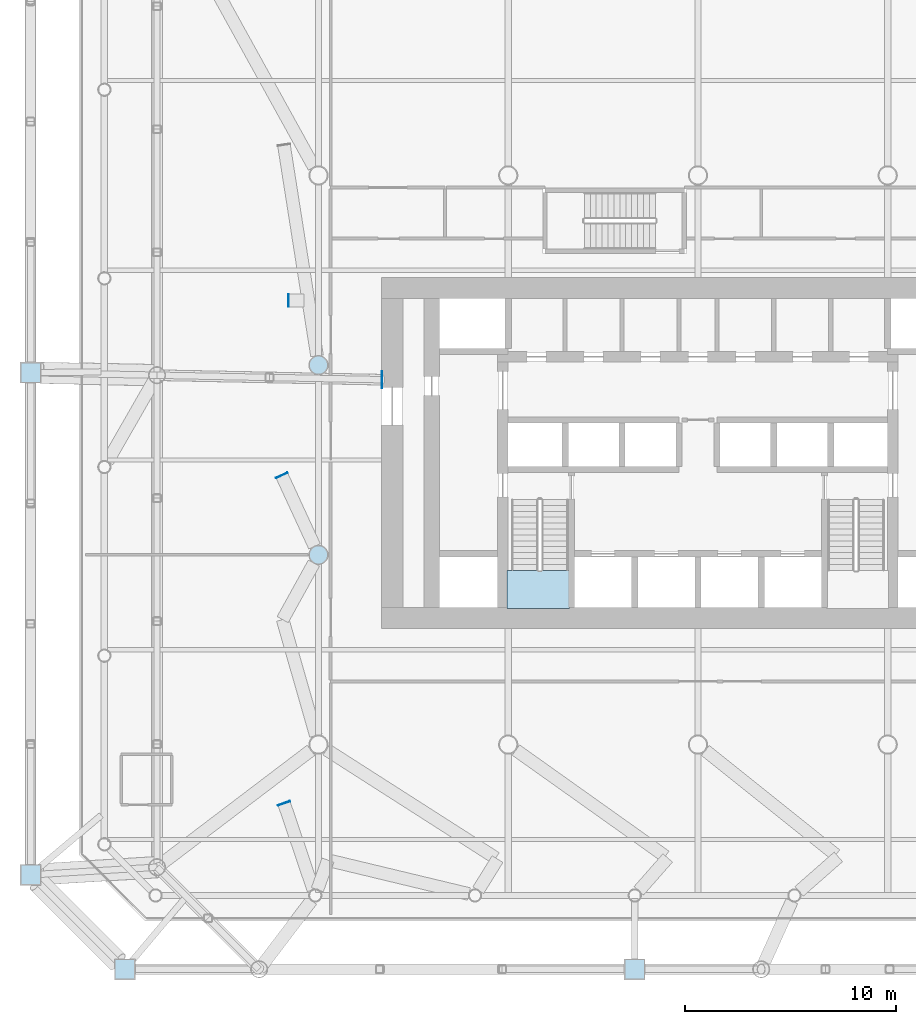
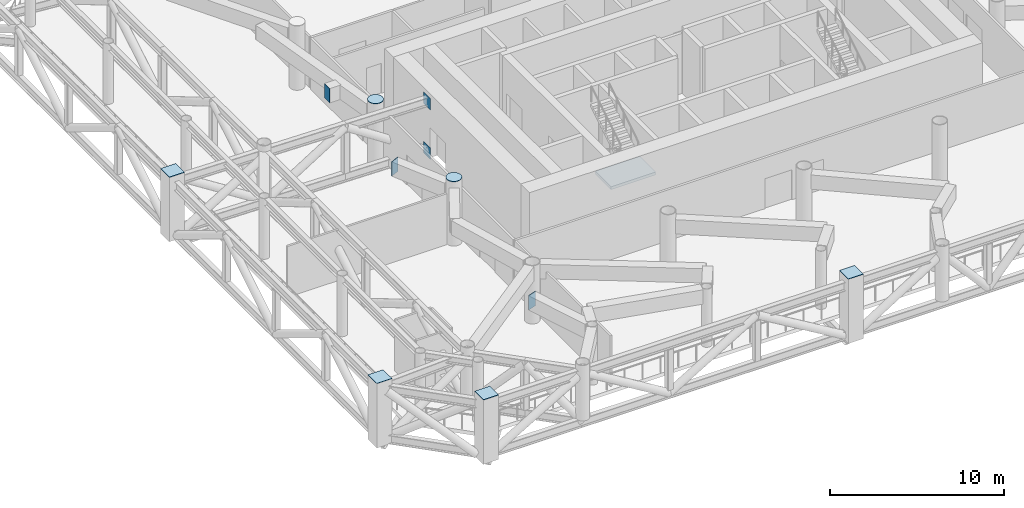
# One storey, part 9 of 22: 11 plates, 1 slab, 1 element without a shape of its own.
"""IFC4 building model written with IfcOpenShell, lengths in metres."""

from ifc_helpers import new_model, si_unit, direction, frame, origin, origin_2d, place, context, subcontext, project, spatial, polyline, rectangle, circle, outline, extrude, material, layer, layer_set, material_profile, profile_set, type_object, element, aggregate, save


model = new_model("IFC4")

# Units and contexts
model_context = context("Model", 3, precision=1e-05, world=origin(), true_north=direction((0.0, 1.0)))
body_context = subcontext(model_context, "Body", "Model", "MODEL_VIEW")
ifc_project = project(units=[si_unit("LENGTHUNIT", "METRE"), si_unit("AREAUNIT", "SQUARE_METRE"), si_unit("VOLUMEUNIT", "CUBIC_METRE"), si_unit("PLANEANGLEUNIT", "RADIAN"), si_unit("MASSUNIT", "GRAM", prefix="KILO")], contexts=[model_context])

# Site, building, storey
site_placement = place(None, origin())
site = spatial("IfcSite", under=ifc_project, at=site_placement, CompositionType="ELEMENT")
building_placement = place(site_placement, origin())
building = spatial("IfcBuilding", under=site, at=building_placement, Name="Tskaro Facet Tower", CompositionType="ELEMENT")
storey_placement = place(building_placement, frame((0.0, 0.0, 57.60009765625)))
storey = spatial("IfcBuildingStorey", under=building, at=storey_placement, Name="L13", CompositionType="ELEMENT", Elevation=57.60009765625)

# Plates
ifc_material_1 = material(Name="Steel S355J2", Category="steel")
ifc_material_profile_1 = material_profile(ifc_material_1, rectangle(XDim=1.0, YDim=1.0, at=origin_2d()), Name="PL 1000x1000x30 end plate")
ifc_profile_set_1 = profile_set([ifc_material_profile_1], Name="Steel S355J2")
plate_type_1 = type_object("IfcPlateType", Name="PL 1000x1000x30 end plate", PredefinedType="SHEET", material=ifc_profile_set_1)
for number, where, z_axis, x_axis, name in (
    (1, (-27.179931640625, -28.658935546875, 4.5), (0.0, 0.0, 1.0), (1.0, 0.0, 0.0), "End plate CP4-01"),
    (2, (-3.0, -28.658935546875, 4.5), (0.0, 0.0, 1.0), (1.0, 0.0, 0.0), "End plate CP4-02"),
    (3, (-31.658935546875, -0.35791015625, 4.5), (0.0, 0.0, 1.0), (1.0, 0.0, 0.0), "End plate CP4-08"),
    (4, (-31.658935546875, -24.179931640625, 4.5), (0.0, 0.0, 1.0), (1.0, 0.0, 0.0), "End plate CP4-09"),
):
    element("IfcPlate", number, at=place(storey_placement, frame(where, z_axis=z_axis, x_axis=x_axis)), inside=storey, type_object=plate_type_1, Name=name, PredefinedType="SHEET", context=body_context, shape_type="SweptSolid", body=[
        extrude(rectangle(XDim=1.0, YDim=1.0, at=origin_2d()), origin(), (0.0, 0.0, 1.0), 0.02978515625),
    ])
ifc_material_profile_2 = material_profile(ifc_material_1, rectangle(XDim=0.60009765625, YDim=1.0, at=origin_2d()), Name="PL 600x1000x30 end plate")
ifc_profile_set_2 = profile_set([ifc_material_profile_2], Name="Steel S355J2")
plate_type_2 = type_object("IfcPlateType", Name="PL 600x1000x30 end plate", PredefinedType="SHEET", material=ifc_profile_set_2)
for number, where, z_axis, x_axis, name in (
    (5, (-19.628173828125, -20.798828125, 3.579833984375), (-0.325990683319, 0.945372981626, 0.0), (-0.945372981626, -0.325990683319, 0.0), "End plate CP8-04"),
    (6, (-19.4150390625, 3.068115234375, 3.579833984375), (-1.0, 0.0, 0.0), (0.0, -1.0, 0.0), "End plate CP8-05"),
    (7, (-19.734619140625, -5.241455078125, 3.579833984375), (-0.414415067456, 0.910087991276, 0.0), (-0.910087991276, -0.414415067456, 0.0), "End plate CP8-09"),
):
    element("IfcPlate", number, at=place(storey_placement, frame(where, z_axis=z_axis, x_axis=x_axis)), inside=storey, type_object=plate_type_2, Name=name, PredefinedType="SHEET", context=body_context, shape_type="SweptSolid", body=[
        extrude(rectangle(XDim=0.60009765625, YDim=1.0, at=origin_2d()), origin(), (0.0, 0.0, 1.0), 0.030029296875),
    ])
ifc_material_profile_3 = material_profile(ifc_material_1, rectangle(XDim=0.800048828125, YDim=0.800048828125, at=origin_2d()), Name="PL 800x800x30 cast-in plate")
ifc_profile_set_3 = profile_set([ifc_material_profile_3], Name="Steel S355J2")
plate_type_3 = type_object("IfcPlateType", Name="PL 800x800x30 cast-in plate", PredefinedType="SHEET", material=ifc_profile_set_3)
for number, where, z_axis, x_axis, name in (
    (8, (-14.969970703125, -0.691162109375, 3.77001953125), (-1.0, 0.0, 0.0), (0.0, -1.0, 0.0), "Cast-in plate AP1-03"),
    (9, (-14.969970703125, -0.691162109375, 0.309814453125), (-1.0, 0.0, 0.0), (0.0, -1.0, 0.0), "Cast-in plate AP1-04"),
):
    element("IfcPlate", number, at=place(storey_placement, frame(where, z_axis=z_axis, x_axis=x_axis)), inside=storey, type_object=plate_type_3, Name=name, PredefinedType="SHEET", context=body_context, shape_type="SweptSolid", body=[
        extrude(rectangle(XDim=0.800048828125, YDim=0.800048828125, at=origin_2d()), origin(), (0.0, 0.0, 1.0), 0.030029296875),
    ])
ifc_material_profile_4 = material_profile(ifc_material_1, circle(Radius=0.457275390625, at=origin_2d()), Name="PL 914 dia x30 end plate")
ifc_profile_set_4 = profile_set([ifc_material_profile_4], Name="Steel S355J2")
plate_type_4 = type_object("IfcPlateType", Name="PL 914 dia x30 end plate", PredefinedType="SHEET", material=ifc_profile_set_4)
for number, where, z_axis, x_axis, name in (
    (10, (-18.0, -9.0, 4.5), (0.0, 0.0, 1.0), (1.0, 0.0, 0.0), "End plate CP1-01"),
    (11, (-18.0, 0.0, 4.5), (0.0, 0.0, 1.0), (1.0, 0.0, 0.0), "End plate CP1-02"),
):
    element("IfcPlate", number, at=place(storey_placement, frame(where, z_axis=z_axis, x_axis=x_axis)), inside=storey, type_object=plate_type_4, Name=name, PredefinedType="SHEET", context=body_context, shape_type="SweptSolid", body=[
        extrude(circle(Radius=0.457275390625, at=origin_2d()), origin(), (0.0, 0.0, 1.0), 0.02978515625),
    ])

# Stair, slab
ifc_material_2 = material(Name="Concrete C40/50", Category="concrete")
stair_type = type_object("IfcStairType", Name="ST-TWR", PredefinedType="HALF_TURN_STAIR", material=ifc_material_2)
stair_placement = place(storey_placement, origin())
stair = element("IfcStair", 12, at=stair_placement, inside=storey, type_object=stair_type, Name="L13 Exit stair 1", PredefinedType="HALF_TURN_STAIR")
ifc_layer = layer(ifc_material_2, 0.199951171875, Name="Concrete C40/50")
ifc_layer_set = layer_set([ifc_layer], Name="Concrete C40/50")
slab_type = type_object("IfcSlabType", Name="SL-LANDING", PredefinedType="LANDING", material=ifc_layer_set)
slab_placement = place(storey_placement, frame((0.0, 0.0, 2.0498046875)))
slab = element("IfcSlab", 13, at=slab_placement, type_object=slab_type, Name="ST-1 landing 1", PredefinedType="LANDING", context=body_context, shape_type="SweptSolid", body=[
    extrude(outline(polyline([(-9.050048828125, -11.550048828125), (-6.10009765625, -11.550048828125), (-6.10009765625, -9.735107421875), (-9.050048828125, -9.735107421875), (-9.050048828125, -11.550048828125)])), origin(), (0.0, 0.0, 1.0), 0.2001953125),
])
aggregate(stair, [slab])

save(model, "model.ifc")
